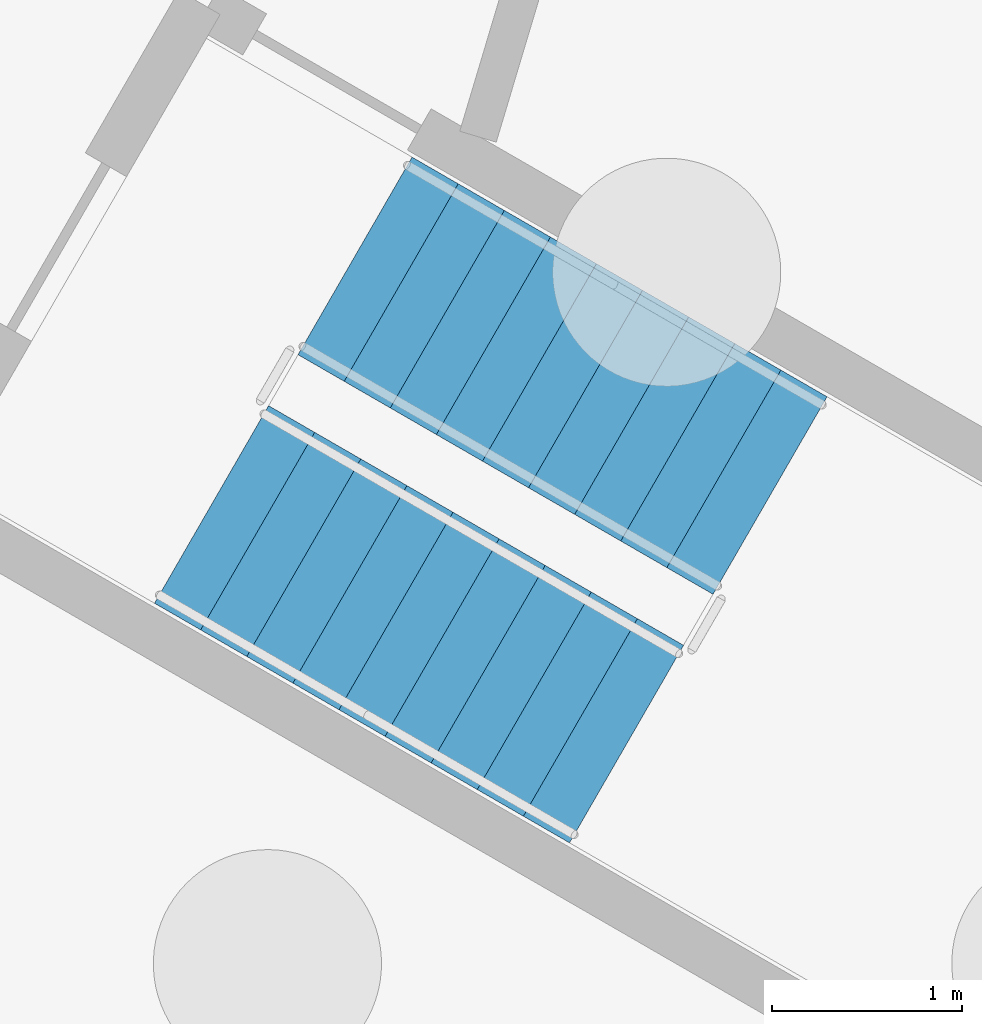
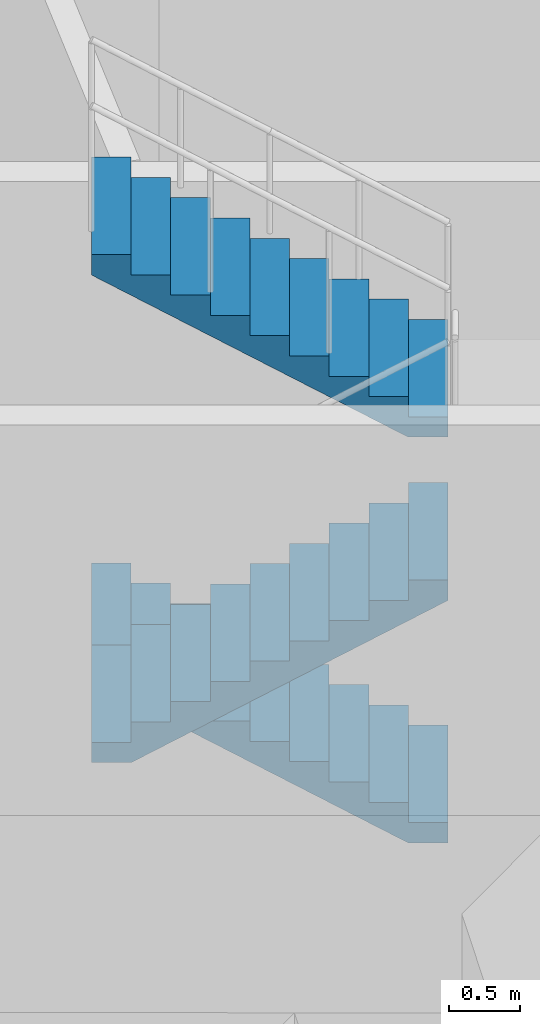
# One storey, part 14 of 18: 3 stair flights, 1 element without a shape of its own.
"""IFC4 building model written with IfcOpenShell, lengths in metres."""

from ifc_helpers import new_model, si_unit, direction, frame, origin, place, context, subcontext, project, spatial, triangles, material, type_object, element, aggregate, save


model = new_model("IFC4")

# Units and contexts
model_context = context("Model", 3, precision=1e-05, world=origin(), true_north=direction((0.0, 1.0)))
body_context = subcontext(model_context, "Body", "Model", "MODEL_VIEW")
ifc_project = project(units=[si_unit("LENGTHUNIT", "METRE"), si_unit("AREAUNIT", "SQUARE_METRE"), si_unit("VOLUMEUNIT", "CUBIC_METRE"), si_unit("PLANEANGLEUNIT", "RADIAN"), si_unit("MASSUNIT", "GRAM", prefix="KILO")], contexts=[model_context])

# Site, building, storey
site_placement = place(None, origin())
site = spatial("IfcSite", under=ifc_project, at=site_placement, CompositionType="ELEMENT")
building_placement = place(site_placement, origin())
building = spatial("IfcBuilding", under=site, at=building_placement, Name="Ayvan Gate Tower", CompositionType="ELEMENT")
storey_placement = place(building_placement, origin())
storey = spatial("IfcBuildingStorey", under=building, at=storey_placement, Name="L00", CompositionType="ELEMENT", Elevation=0.0)

# Stair, stair flights
ifc_material = material(Name="Concrete C40/50", Category="concrete")
stair_type = type_object("IfcStairType", Name="ST-EXIT", PredefinedType="HALF_TURN_STAIR", material=ifc_material)
stair_placement = place(storey_placement, origin())
stair = element("IfcStair", 1, at=stair_placement, inside=storey, type_object=stair_type, Name="L00 Exit Stair S1", PredefinedType="HALF_TURN_STAIR")
stair_flight_type = type_object("IfcStairFlightType", Name="SFL-EXIT", PredefinedType="STRAIGHT", material=ifc_material)
stair_flight_1_placement = place(storey_placement, frame((11.04345703125, 9.73779296875, 1.75), z_axis=(0.0, 0.0, 1.0), x_axis=(-0.866025403784, 0.5, 0.0)))
stair_flight_1 = element("IfcStairFlight", 2, at=stair_flight_1_placement, type_object=stair_flight_type, Name="STS1 flight 2", NumberOfRisers=10, NumberOfTreads=9, PredefinedType="STRAIGHT", RiserHeight=0.175, TreadLength=0.28, context=body_context, shape_type="Tessellation", body=[
    triangles([(0.282835, -0.599976, 0.0), (2.5205, -0.599976, 1.398541), (2.5205, -0.599976, 1.575), (2.24, -0.599976, 1.575), (2.24, -0.599976, 1.4), (1.96, -0.599976, 1.4), (1.96, -0.599976, 1.225), (1.68, -0.599976, 1.225), (1.68, -0.599976, 1.05), (1.4, -0.599976, 1.05), (1.4, -0.599976, 0.875), (1.12, -0.599976, 0.875), (1.12, -0.599976, 0.7), (0.84, -0.599976, 0.7), (0.84, -0.599976, 0.525), (0.56, -0.599976, 0.525), (0.56, -0.599976, 0.35), (0.28, -0.599976, 0.35), (0.28, -0.599976, 0.175), (-0.0005, -0.599976, 0.175), (-0.0005, -0.599976, 0.0), (0.282835, 0.0, 0.0), (2.5205, 0.0, 1.398541), (2.5205, 0.0, 1.575), (2.24, 0.0, 1.575), (2.24, 0.0, 1.4), (1.96, 0.0, 1.4), (1.96, 0.0, 1.225), (1.68, 0.0, 1.225), (1.68, 0.0, 1.05), (1.4, 0.0, 1.05), (1.4, 0.0, 0.875), (1.12, 0.0, 0.875), (1.12, 0.0, 0.7), (0.84, 0.0, 0.7), (0.84, 0.0, 0.525), (0.56, 0.0, 0.525), (0.56, 0.0, 0.35), (0.28, 0.0, 0.35), (0.28, 0.0, 0.175), (-0.0005, 0.0, 0.175), (-0.0005, 0.0, 0.0), (0.282835, 0.599976, 0.0), (2.5205, 0.599976, 1.398541), (2.5205, 0.599976, 1.575), (2.24, 0.599976, 1.575), (2.24, 0.599976, 1.4), (1.96, 0.599976, 1.4), (1.96, 0.599976, 1.225), (1.68, 0.599976, 1.225), (1.68, 0.599976, 1.05), (1.4, 0.599976, 1.05), (1.4, 0.599976, 0.875), (1.12, 0.599976, 0.875), (1.12, 0.599976, 0.7), (0.84, 0.599976, 0.7), (0.84, 0.599976, 0.525), (0.56, 0.599976, 0.525), (0.56, 0.599976, 0.35), (0.28, 0.599976, 0.35), (0.28, 0.599976, 0.175), (-0.0005, 0.599976, 0.175), (-0.0005, 0.599976, 0.0)], [[21, 1, 2], [63, 44, 43], [2, 3, 4], [44, 46, 45], [2, 4, 5], [44, 47, 46], [2, 5, 6], [44, 48, 47], [2, 6, 7], [44, 49, 48], [7, 8, 9], [49, 51, 50], [2, 7, 9], [44, 51, 49], [9, 10, 11], [51, 53, 52], [2, 9, 11], [44, 53, 51], [11, 12, 13], [53, 55, 54], [2, 11, 13], [44, 55, 53], [13, 14, 15], [55, 57, 56], [2, 13, 15], [44, 57, 55], [15, 16, 17], [57, 59, 58], [2, 15, 17], [44, 59, 57], [17, 18, 19], [59, 61, 60], [2, 17, 19], [44, 61, 59], [21, 2, 19], [63, 61, 44], [19, 20, 21], [61, 63, 62], [1, 22, 23], [1, 23, 2], [43, 23, 22], [43, 44, 23], [2, 23, 24], [2, 24, 3], [44, 24, 23], [44, 45, 24], [3, 24, 25], [3, 25, 4], [45, 25, 24], [45, 46, 25], [4, 25, 26], [4, 26, 5], [46, 26, 25], [46, 47, 26], [5, 26, 27], [5, 27, 6], [47, 27, 26], [47, 48, 27], [6, 27, 28], [6, 28, 7], [48, 28, 27], [48, 49, 28], [7, 28, 29], [7, 29, 8], [49, 29, 28], [49, 50, 29], [8, 29, 30], [8, 30, 9], [50, 30, 29], [50, 51, 30], [9, 30, 31], [9, 31, 10], [51, 31, 30], [51, 52, 31], [10, 31, 32], [10, 32, 11], [52, 32, 31], [52, 53, 32], [11, 32, 33], [11, 33, 12], [53, 33, 32], [53, 54, 33], [12, 33, 34], [12, 34, 13], [54, 34, 33], [54, 55, 34], [13, 34, 35], [13, 35, 14], [55, 35, 34], [55, 56, 35], [14, 35, 36], [14, 36, 15], [56, 36, 35], [56, 57, 36], [15, 36, 37], [15, 37, 16], [57, 37, 36], [57, 58, 37], [16, 37, 38], [16, 38, 17], [58, 38, 37], [58, 59, 38], [17, 38, 39], [17, 39, 18], [59, 39, 38], [59, 60, 39], [18, 39, 40], [18, 40, 19], [60, 40, 39], [60, 61, 40], [19, 40, 41], [19, 41, 20], [61, 41, 40], [61, 62, 41], [20, 41, 42], [20, 42, 21], [62, 42, 41], [62, 63, 42], [21, 42, 22], [21, 22, 1], [63, 22, 42], [63, 43, 22]], closed=True),
])
stair_flight_2_placement = place(storey_placement, frame((8.106201171875, 9.690185546875, 3.5), z_axis=(0.0, 0.0, 1.0), x_axis=(0.866025403784, -0.5, 0.0)))
stair_flight_2 = element("IfcStairFlight", 3, at=stair_flight_2_placement, type_object=stair_flight_type, Name="STS1 flight 3", NumberOfRisers=10, NumberOfTreads=9, PredefinedType="STRAIGHT", RiserHeight=0.175, TreadLength=0.28, context=body_context, shape_type="Tessellation", body=[
    triangles([(0.282835, -0.599976, 0.0), (2.5205, -0.599976, 1.398541), (2.5205, -0.599976, 1.575), (2.24, -0.599976, 1.575), (2.24, -0.599976, 1.4), (1.96, -0.599976, 1.4), (1.96, -0.599976, 1.225), (1.68, -0.599976, 1.225), (1.68, -0.599976, 1.05), (1.4, -0.599976, 1.05), (1.4, -0.599976, 0.875), (1.12, -0.599976, 0.875), (1.12, -0.599976, 0.7), (0.84, -0.599976, 0.7), (0.84, -0.599976, 0.525), (0.56, -0.599976, 0.525), (0.56, -0.599976, 0.35), (0.28, -0.599976, 0.35), (0.28, -0.599976, 0.175), (-0.0005, -0.599976, 0.175), (-0.0005, -0.599976, 0.0), (0.282835, 0.0, 0.0), (2.5205, 0.0, 1.398541), (2.5205, 0.0, 1.575), (2.24, 0.0, 1.575), (2.24, 0.0, 1.4), (1.96, 0.0, 1.4), (1.96, 0.0, 1.225), (1.68, 0.0, 1.225), (1.68, 0.0, 1.05), (1.4, 0.0, 1.05), (1.4, 0.0, 0.875), (1.12, 0.0, 0.875), (1.12, 0.0, 0.7), (0.84, 0.0, 0.7), (0.84, 0.0, 0.525), (0.56, 0.0, 0.525), (0.56, 0.0, 0.35), (0.28, 0.0, 0.35), (0.28, 0.0, 0.175), (-0.0005, 0.0, 0.175), (-0.0005, 0.0, 0.0), (0.282835, 0.599976, 0.0), (2.5205, 0.599976, 1.398541), (2.5205, 0.599976, 1.575), (2.24, 0.599976, 1.575), (2.24, 0.599976, 1.4), (1.96, 0.599976, 1.4), (1.96, 0.599976, 1.225), (1.68, 0.599976, 1.225), (1.68, 0.599976, 1.05), (1.4, 0.599976, 1.05), (1.4, 0.599976, 0.875), (1.12, 0.599976, 0.875), (1.12, 0.599976, 0.7), (0.84, 0.599976, 0.7), (0.84, 0.599976, 0.525), (0.56, 0.599976, 0.525), (0.56, 0.599976, 0.35), (0.28, 0.599976, 0.35), (0.28, 0.599976, 0.175), (-0.0005, 0.599976, 0.175), (-0.0005, 0.599976, 0.0)], [[21, 1, 2], [63, 44, 43], [2, 3, 4], [44, 46, 45], [2, 4, 5], [44, 47, 46], [2, 5, 6], [44, 48, 47], [2, 6, 7], [44, 49, 48], [7, 8, 9], [49, 51, 50], [2, 7, 9], [44, 51, 49], [9, 10, 11], [51, 53, 52], [2, 9, 11], [44, 53, 51], [11, 12, 13], [53, 55, 54], [2, 11, 13], [44, 55, 53], [13, 14, 15], [55, 57, 56], [2, 13, 15], [44, 57, 55], [15, 16, 17], [57, 59, 58], [2, 15, 17], [44, 59, 57], [17, 18, 19], [59, 61, 60], [2, 17, 19], [44, 61, 59], [21, 2, 19], [63, 61, 44], [19, 20, 21], [61, 63, 62], [1, 22, 23], [1, 23, 2], [43, 23, 22], [43, 44, 23], [2, 23, 24], [2, 24, 3], [44, 24, 23], [44, 45, 24], [3, 24, 25], [3, 25, 4], [45, 25, 24], [45, 46, 25], [4, 25, 26], [4, 26, 5], [46, 26, 25], [46, 47, 26], [5, 26, 27], [5, 27, 6], [47, 27, 26], [47, 48, 27], [6, 27, 28], [6, 28, 7], [48, 28, 27], [48, 49, 28], [7, 28, 29], [7, 29, 8], [49, 29, 28], [49, 50, 29], [8, 29, 30], [8, 30, 9], [50, 30, 29], [50, 51, 30], [9, 30, 31], [9, 31, 10], [51, 31, 30], [51, 52, 31], [10, 31, 32], [10, 32, 11], [52, 32, 31], [52, 53, 32], [11, 32, 33], [11, 33, 12], [53, 33, 32], [53, 54, 33], [12, 33, 34], [12, 34, 13], [54, 34, 33], [54, 55, 34], [13, 34, 35], [13, 35, 14], [55, 35, 34], [55, 56, 35], [14, 35, 36], [14, 36, 15], [56, 36, 35], [56, 57, 36], [15, 36, 37], [15, 37, 16], [57, 37, 36], [57, 58, 37], [16, 37, 38], [16, 38, 17], [58, 38, 37], [58, 59, 38], [17, 38, 39], [17, 39, 18], [59, 39, 38], [59, 60, 39], [18, 39, 40], [18, 40, 19], [60, 40, 39], [60, 61, 40], [19, 40, 41], [19, 41, 20], [61, 41, 40], [61, 62, 41], [20, 41, 42], [20, 42, 21], [62, 42, 41], [62, 63, 42], [21, 42, 22], [21, 22, 1], [63, 22, 42], [63, 43, 22]], closed=True),
])
stair_flight_3_placement = place(storey_placement, frame((11.04345703125, 9.73779296875, 5.25), z_axis=(0.0, 0.0, 1.0), x_axis=(-0.866025403784, 0.5, 0.0)))
stair_flight_3 = element("IfcStairFlight", 4, at=stair_flight_3_placement, type_object=stair_flight_type, Name="STS1 flight 4", NumberOfRisers=10, NumberOfTreads=9, PredefinedType="STRAIGHT", RiserHeight=0.175, TreadLength=0.28, context=body_context, shape_type="Tessellation", body=[
    triangles([(0.282835, -0.599976, 0.0), (2.5205, -0.599976, 1.398541), (2.5205, -0.599976, 1.575), (2.24, -0.599976, 1.575), (2.24, -0.599976, 1.4), (1.96, -0.599976, 1.4), (1.96, -0.599976, 1.225), (1.68, -0.599976, 1.225), (1.68, -0.599976, 1.05), (1.4, -0.599976, 1.05), (1.4, -0.599976, 0.875), (1.12, -0.599976, 0.875), (1.12, -0.599976, 0.7), (0.84, -0.599976, 0.7), (0.84, -0.599976, 0.525), (0.56, -0.599976, 0.525), (0.56, -0.599976, 0.35), (0.28, -0.599976, 0.35), (0.28, -0.599976, 0.175), (-0.0005, -0.599976, 0.175), (-0.0005, -0.599976, 0.0), (0.282835, 0.0, 0.0), (2.5205, 0.0, 1.398541), (2.5205, 0.0, 1.575), (2.24, 0.0, 1.575), (2.24, 0.0, 1.4), (1.96, 0.0, 1.4), (1.96, 0.0, 1.225), (1.68, 0.0, 1.225), (1.68, 0.0, 1.05), (1.4, 0.0, 1.05), (1.4, 0.0, 0.875), (1.12, 0.0, 0.875), (1.12, 0.0, 0.7), (0.84, 0.0, 0.7), (0.84, 0.0, 0.525), (0.56, 0.0, 0.525), (0.56, 0.0, 0.35), (0.28, 0.0, 0.35), (0.28, 0.0, 0.175), (-0.0005, 0.0, 0.175), (-0.0005, 0.0, 0.0), (0.282835, 0.599976, 0.0), (2.5205, 0.599976, 1.398541), (2.5205, 0.599976, 1.575), (2.24, 0.599976, 1.575), (2.24, 0.599976, 1.4), (1.96, 0.599976, 1.4), (1.96, 0.599976, 1.225), (1.68, 0.599976, 1.225), (1.68, 0.599976, 1.05), (1.4, 0.599976, 1.05), (1.4, 0.599976, 0.875), (1.12, 0.599976, 0.875), (1.12, 0.599976, 0.7), (0.84, 0.599976, 0.7), (0.84, 0.599976, 0.525), (0.56, 0.599976, 0.525), (0.56, 0.599976, 0.35), (0.28, 0.599976, 0.35), (0.28, 0.599976, 0.175), (-0.0005, 0.599976, 0.175), (-0.0005, 0.599976, 0.0)], [[21, 1, 2], [63, 44, 43], [2, 3, 4], [44, 46, 45], [2, 4, 5], [44, 47, 46], [2, 5, 6], [44, 48, 47], [2, 6, 7], [44, 49, 48], [7, 8, 9], [49, 51, 50], [2, 7, 9], [44, 51, 49], [9, 10, 11], [51, 53, 52], [2, 9, 11], [44, 53, 51], [11, 12, 13], [53, 55, 54], [2, 11, 13], [44, 55, 53], [13, 14, 15], [55, 57, 56], [2, 13, 15], [44, 57, 55], [15, 16, 17], [57, 59, 58], [2, 15, 17], [44, 59, 57], [17, 18, 19], [59, 61, 60], [2, 17, 19], [44, 61, 59], [21, 2, 19], [63, 61, 44], [19, 20, 21], [61, 63, 62], [1, 22, 23], [1, 23, 2], [43, 23, 22], [43, 44, 23], [2, 23, 24], [2, 24, 3], [44, 24, 23], [44, 45, 24], [3, 24, 25], [3, 25, 4], [45, 25, 24], [45, 46, 25], [4, 25, 26], [4, 26, 5], [46, 26, 25], [46, 47, 26], [5, 26, 27], [5, 27, 6], [47, 27, 26], [47, 48, 27], [6, 27, 28], [6, 28, 7], [48, 28, 27], [48, 49, 28], [7, 28, 29], [7, 29, 8], [49, 29, 28], [49, 50, 29], [8, 29, 30], [8, 30, 9], [50, 30, 29], [50, 51, 30], [9, 30, 31], [9, 31, 10], [51, 31, 30], [51, 52, 31], [10, 31, 32], [10, 32, 11], [52, 32, 31], [52, 53, 32], [11, 32, 33], [11, 33, 12], [53, 33, 32], [53, 54, 33], [12, 33, 34], [12, 34, 13], [54, 34, 33], [54, 55, 34], [13, 34, 35], [13, 35, 14], [55, 35, 34], [55, 56, 35], [14, 35, 36], [14, 36, 15], [56, 36, 35], [56, 57, 36], [15, 36, 37], [15, 37, 16], [57, 37, 36], [57, 58, 37], [16, 37, 38], [16, 38, 17], [58, 38, 37], [58, 59, 38], [17, 38, 39], [17, 39, 18], [59, 39, 38], [59, 60, 39], [18, 39, 40], [18, 40, 19], [60, 40, 39], [60, 61, 40], [19, 40, 41], [19, 41, 20], [61, 41, 40], [61, 62, 41], [20, 41, 42], [20, 42, 21], [62, 42, 41], [62, 63, 42], [21, 42, 22], [21, 22, 1], [63, 22, 42], [63, 43, 22]], closed=True),
])
aggregate(stair, [stair_flight_1, stair_flight_2, stair_flight_3])

save(model, "model.ifc")
